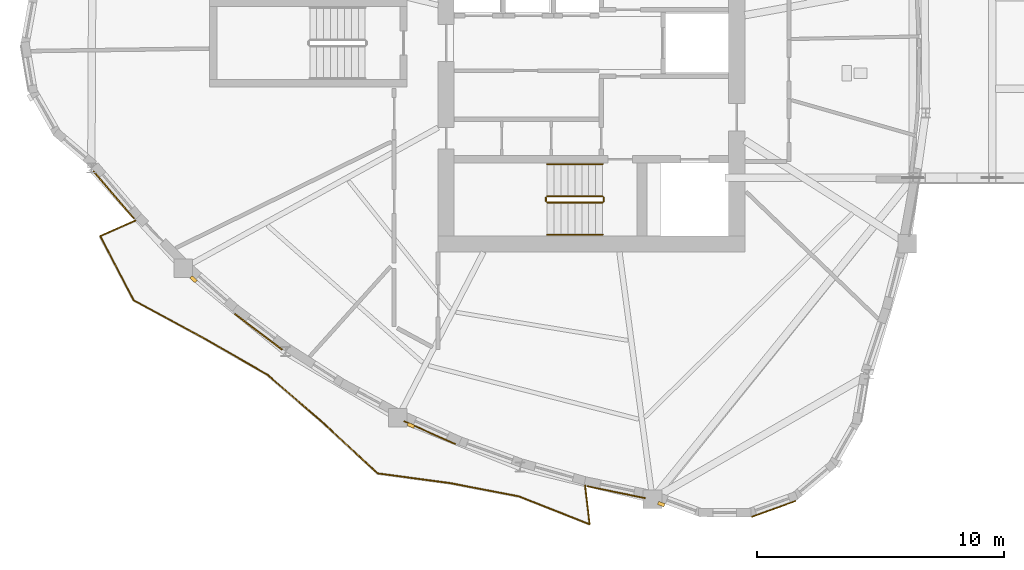
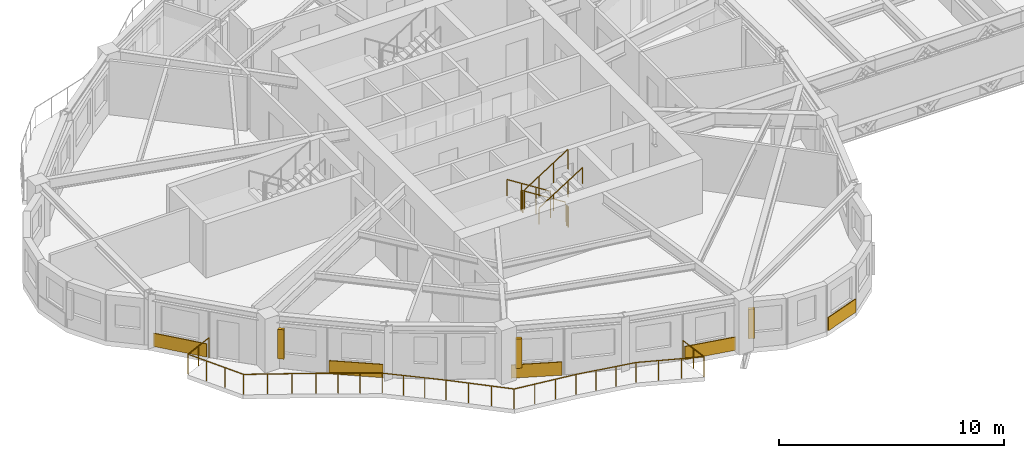
# One storey, part 10 of 13: 7 railings, 5 coverings, 3 shading devices.
"""IFC4 building model written with IfcOpenShell, lengths in metres."""

from ifc_helpers import new_model, si_unit, direction, frame, origin, origin_2d, place, context, subcontext, project, spatial, rectangle, circle, extrude, source, transform, mapped, material, layer, layer_set, type_object, element, save


model = new_model("IFC4")

# Units and contexts
model_context = context("Model", 3, precision=1e-05, world=origin(), true_north=direction((0.0, 1.0)))
body_context = subcontext(model_context, "Body", "Model", "MODEL_VIEW")
ifc_project = project(units=[si_unit("LENGTHUNIT", "METRE"), si_unit("AREAUNIT", "SQUARE_METRE"), si_unit("VOLUMEUNIT", "CUBIC_METRE"), si_unit("PLANEANGLEUNIT", "RADIAN"), si_unit("MASSUNIT", "GRAM", prefix="KILO")], contexts=[model_context])

# Site, building, storey
site_placement = place(None, origin())
site = spatial("IfcSite", under=ifc_project, at=site_placement, CompositionType="ELEMENT")
building_placement = place(site_placement, origin())
building = spatial("IfcBuilding", under=site, at=building_placement, Name="Qafzar Sky-Pleat Residences", CompositionType="ELEMENT")
storey_placement = place(building_placement, frame((0.0, 0.0, 152.199951171875)))
storey = spatial("IfcBuildingStorey", under=building, at=storey_placement, Name="L45", CompositionType="ELEMENT", Elevation=152.199951171875)

# Shading devices
ifc_material_1 = material(Name="Honed Riyadh limestone solar fin", Category="masonry")
ifc_layer_1 = layer(ifc_material_1, 0.139892578125)
ifc_layer_set_1 = layer_set([ifc_layer_1], Name="Honed Riyadh limestone solar fin")
shading_device_type = type_object("IfcShadingDeviceType", Name="SHD-FIN-STONE", PredefinedType="SHUTTER", material=ifc_layer_set_1)
shared_shape_1 = source(origin(), body_context, "Body", "SweptSolid", [
    extrude(rectangle(XDim=0.139892578125, YDim=0.280029296875, at=origin_2d()), origin(), (0.0, 0.0, 1.0), 1.60009765625),
])
for number, where, z_axis, x_axis, name in (
    (1, (14.259033203125, 16.4443359375, 0.60009765625), (0.0, 0.0, 1.0), (-0.66015795456, -0.751126803563, 0.0), "L45 Limestone Solar Fin 9"),
    (2, (23.052001953125, 10.533935546875, 0.60009765625), (0.0, 0.0, 1.0), (-0.407523392888, -0.913194767971, 0.0), "L45 Limestone Solar Fin 13"),
    (3, (33.17236328125, 7.3525390625, 0.60009765625), (0.0, 0.0, 1.0), (-0.349591808799, -0.936902111867, 0.0), "L45 Limestone Solar Fin 17"),
):
    element("IfcShadingDevice", number, at=place(storey_placement, frame(where, z_axis=z_axis, x_axis=x_axis)), inside=storey, type_object=shading_device_type, Name=name, PredefinedType="SHUTTER", context=body_context, shape_type="MappedRepresentation", body=[
        mapped(shared_shape_1, transform((0.0, 0.0, 0.0), x_axis=(1.0, 0.0, 0.0), y_axis=(0.0, 1.0, 0.0), z_axis=(0.0, 0.0, 1.0), scale=1.0)),
    ])

# Railing
ifc_material_2 = material(Name="Laminated glass and bronze steel balustrade", Category="steel")
railing_type_1 = type_object("IfcRailingType", Name="RAIL-BAL-1100", PredefinedType="BALUSTRADE", material=ifc_material_2)
shared_shape_2 = source(origin(), body_context, "Body", "SweptSolid", [
    extrude(circle(Radius=0.02392578125, at=origin_2d()), frame((0.0, 0.0, 1.076171875), z_axis=(-0.913242763887, -0.407415824689, 0.0), x_axis=(0.407415824689, -0.913242763887, 0.0)), (0.0, 0.0, 1.0), 1.577880859375),
    extrude(circle(Radius=0.02392578125, at=origin_2d()), frame((-1.44091796875, -0.642822265625, 1.076171875), z_axis=(0.463779078559, -0.88595088255, 0.0), x_axis=(0.88595088255, 0.463779078559, 0.0)), (0.0, 0.0, 1.0), 2.922119140625),
    extrude(circle(Radius=0.02392578125, at=origin_2d()), frame((-0.085693359375, -3.231689453125, 1.076171875), z_axis=(0.879301197534, -0.476266106305, 0.0), x_axis=(0.476266106305, 0.879301197534, 0.0)), (0.0, 0.0, 1.0), 3.23046875),
    extrude(circle(Radius=0.02392578125, at=origin_2d()), frame((2.7548828125, -4.770263671875, 1.076171875), z_axis=(0.867569052285, -0.49731673963, 0.0), x_axis=(0.49731673963, 0.867569052285, 0.0)), (0.0, 0.0, 1.0), 2.945556640625),
    extrude(circle(Radius=0.02392578125, at=origin_2d()), frame((5.310302734375, -6.235107421875, 1.076171875), z_axis=(0.75730029901, -0.653066809078, 0.0), x_axis=(0.653066809078, 0.75730029901, 0.0)), (0.0, 0.0, 1.0), 2.8857421875),
    extrude(circle(Radius=0.02392578125, at=origin_2d()), frame((7.49560546875, -8.11962890625, 1.076171875), z_axis=(0.734057417047, -0.67908740857, 0.0), x_axis=(0.67908740857, 0.734057417047, 0.0)), (0.0, 0.0, 1.0), 3.11328125),
    extrude(circle(Radius=0.02392578125, at=origin_2d()), frame((9.781005859375, -10.23388671875, 1.076171875), z_axis=(0.991073421264, -0.133317191933, 0.0), x_axis=(0.133317191933, 0.991073421264, 0.0)), (0.0, 0.0, 1.0), 2.966552734375),
    extrude(circle(Radius=0.02392578125, at=origin_2d()), frame((12.72119140625, -10.62939453125, 1.076171875), z_axis=(0.981967689152, -0.189048822958, 0.0), x_axis=(0.189048822958, 0.981967689152, 0.0)), (0.0, 0.0, 1.0), 2.83203125),
    extrude(circle(Radius=0.02392578125, at=origin_2d()), frame((15.502197265625, -11.164794921875, 1.076171875), z_axis=(0.929959452152, -0.367662096705, 0.0), x_axis=(0.367662096705, 0.929959452152, 0.0)), (0.0, 0.0, 1.0), 3.061767578125),
    extrude(circle(Radius=0.02392578125, at=origin_2d()), frame((18.349609375, -12.29052734375, 1.076171875), z_axis=(-0.116203811721, 0.993225389396, 0.0), x_axis=(-0.993225389396, -0.116203811721, 0.0)), (0.0, 0.0, 1.0), 1.577880859375),
    extrude(circle(Radius=0.02099609375, at=origin_2d()), origin(), (0.0, 0.0, 1.0), 1.052001953125),
    extrude(circle(Radius=0.02099609375, at=origin_2d()), frame((-0.720458984375, -0.3212890625, 0.0)), (0.0, 0.0, 1.0), 1.052001953125),
    extrude(circle(Radius=0.02099609375, at=origin_2d()), frame((-1.44091796875, -0.642822265625, 0.0)), (0.0, 0.0, 1.0), 1.052001953125),
    extrude(circle(Radius=0.02099609375, at=origin_2d()), frame((-0.9892578125, -1.505859375, 0.0)), (0.0, 0.0, 1.0), 1.052001953125),
    extrude(circle(Radius=0.02099609375, at=origin_2d()), frame((-0.537353515625, -2.36865234375, 0.0)), (0.0, 0.0, 1.0), 1.052001953125),
    extrude(circle(Radius=0.02099609375, at=origin_2d()), frame((-0.085693359375, -3.231689453125, 0.0)), (0.0, 0.0, 1.0), 1.052001953125),
    extrude(circle(Radius=0.02099609375, at=origin_2d()), frame((0.861083984375, -3.74462890625, 0.0)), (0.0, 0.0, 1.0), 1.052001953125),
    extrude(circle(Radius=0.02099609375, at=origin_2d()), frame((1.80810546875, -4.25732421875, 0.0)), (0.0, 0.0, 1.0), 1.052001953125),
    extrude(circle(Radius=0.02099609375, at=origin_2d()), frame((2.7548828125, -4.770263671875, 0.0)), (0.0, 0.0, 1.0), 1.052001953125),
    extrude(circle(Radius=0.02099609375, at=origin_2d()), frame((3.606689453125, -5.258544921875, 0.0)), (0.0, 0.0, 1.0), 1.052001953125),
    extrude(circle(Radius=0.02099609375, at=origin_2d()), frame((4.45849609375, -5.746826171875, 0.0)), (0.0, 0.0, 1.0), 1.052001953125),
    extrude(circle(Radius=0.02099609375, at=origin_2d()), frame((5.310302734375, -6.235107421875, 0.0)), (0.0, 0.0, 1.0), 1.052001953125),
    extrude(circle(Radius=0.02099609375, at=origin_2d()), frame((6.038818359375, -6.86328125, 0.0)), (0.0, 0.0, 1.0), 1.052001953125),
    extrude(circle(Radius=0.02099609375, at=origin_2d()), frame((6.76708984375, -7.491455078125, 0.0)), (0.0, 0.0, 1.0), 1.052001953125),
    extrude(circle(Radius=0.02099609375, at=origin_2d()), frame((7.49560546875, -8.11962890625, 0.0)), (0.0, 0.0, 1.0), 1.052001953125),
    extrude(circle(Radius=0.02099609375, at=origin_2d()), frame((8.25732421875, -8.824462890625, 0.0)), (0.0, 0.0, 1.0), 1.052001953125),
    extrude(circle(Radius=0.02099609375, at=origin_2d()), frame((9.019287109375, -9.529052734375, 0.0)), (0.0, 0.0, 1.0), 1.052001953125),
    extrude(circle(Radius=0.02099609375, at=origin_2d()), frame((9.781005859375, -10.23388671875, 0.0)), (0.0, 0.0, 1.0), 1.052001953125),
    extrude(circle(Radius=0.02099609375, at=origin_2d()), frame((10.760986328125, -10.36572265625, 0.0)), (0.0, 0.0, 1.0), 1.052001953125),
    extrude(circle(Radius=0.02099609375, at=origin_2d()), frame((11.7412109375, -10.49755859375, 0.0)), (0.0, 0.0, 1.0), 1.052001953125),
    extrude(circle(Radius=0.02099609375, at=origin_2d()), frame((12.72119140625, -10.62939453125, 0.0)), (0.0, 0.0, 1.0), 1.052001953125),
    extrude(circle(Radius=0.02099609375, at=origin_2d()), frame((13.648193359375, -10.807861328125, 0.0)), (0.0, 0.0, 1.0), 1.052001953125),
    extrude(circle(Radius=0.02099609375, at=origin_2d()), frame((14.5751953125, -10.986328125, 0.0)), (0.0, 0.0, 1.0), 1.052001953125),
    extrude(circle(Radius=0.02099609375, at=origin_2d()), frame((15.502197265625, -11.164794921875, 0.0)), (0.0, 0.0, 1.0), 1.052001953125),
    extrude(circle(Radius=0.02099609375, at=origin_2d()), frame((16.451416015625, -11.5400390625, 0.0)), (0.0, 0.0, 1.0), 1.052001953125),
    extrude(circle(Radius=0.02099609375, at=origin_2d()), frame((17.400390625, -11.915283203125, 0.0)), (0.0, 0.0, 1.0), 1.052001953125),
    extrude(circle(Radius=0.02099609375, at=origin_2d()), frame((18.349609375, -12.29052734375, 0.0)), (0.0, 0.0, 1.0), 1.052001953125),
    extrude(circle(Radius=0.02099609375, at=origin_2d()), frame((18.2578125, -11.5068359375, 0.0)), (0.0, 0.0, 1.0), 1.052001953125),
    extrude(circle(Radius=0.02099609375, at=origin_2d()), frame((18.166259765625, -10.723388671875, 0.0)), (0.0, 0.0, 1.0), 1.052001953125),
])
railing_1_placement = place(storey_placement, frame((11.92529296875, 18.8291015625, 0.0)))
element("IfcRailing", 4, at=railing_1_placement, inside=storey, type_object=railing_type_1, Name="L45 Pleated Balcony 2 Balustrade", PredefinedType="BALUSTRADE", context=body_context, shape_type="MappedRepresentation", body=[
    mapped(shared_shape_2, transform((0.0, 0.0, 0.0), x_axis=(1.0, 0.0, 0.0), y_axis=(0.0, 1.0, 0.0), z_axis=(0.0, 0.0, 1.0), scale=1.0)),
])

# Coverings
ifc_material_3 = material(Name="Honed Riyadh Tuwaiq limestone cladding", Category="masonry")
ifc_layer_2 = layer(ifc_material_3, 0.044921875)
ifc_layer_set_2 = layer_set([ifc_layer_2], Name="Honed Riyadh Tuwaiq limestone cladding")
covering_type = type_object("IfcCoveringType", Name="COV-CLAD-STONE", PredefinedType="CLADDING", material=ifc_layer_set_2)
shared_shape_3 = source(origin(), body_context, "Body", "SweptSolid", [
    extrude(rectangle(XDim=2.522705078125, YDim=0.044921875, at=origin_2d()), origin(), (0.0, 0.0, 1.0), 0.719970703125),
])
covering_1_placement = place(storey_placement, frame((11.032958984375, 19.855712890625, 0.02001953125), z_axis=(0.0, 0.0, 1.0), x_axis=(0.650335864114, -0.759646802038, 0.0)))
element("IfcCovering", 5, at=covering_1_placement, inside=storey, type_object=covering_type, Name="L45 Riyadh Limestone Spandrel Cladding 7", PredefinedType="CLADDING", context=body_context, shape_type="MappedRepresentation", body=[
    mapped(shared_shape_3, transform((0.0, 0.0, 0.0), x_axis=(1.0, 0.0, 0.0), y_axis=(0.0, 1.0, 0.0), z_axis=(0.0, 0.0, 1.0), scale=1.0)),
])
shared_shape_4 = source(origin(), body_context, "Body", "SweptSolid", [
    extrude(rectangle(XDim=2.403076171875, YDim=0.044921875, at=origin_2d()), origin(), (0.0, 0.0, 1.0), 0.719970703125),
])
covering_2_placement = place(storey_placement, frame((16.8857421875, 14.321044921875, 0.02001953125), z_axis=(0.0, 0.0, 1.0), x_axis=(0.798031812504, -0.602615321936, 0.0)))
element("IfcCovering", 6, at=covering_2_placement, inside=storey, type_object=covering_type, Name="L45 Riyadh Limestone Spandrel Cladding 10", PredefinedType="CLADDING", context=body_context, shape_type="MappedRepresentation", body=[
    mapped(shared_shape_4, transform((0.0, 0.0, 0.0), x_axis=(1.0, 0.0, 0.0), y_axis=(0.0, 1.0, 0.0), z_axis=(0.0, 0.0, 1.0), scale=1.0)),
])
shared_shape_5 = source(origin(), body_context, "Body", "SweptSolid", [
    extrude(rectangle(XDim=2.281494140625, YDim=0.044921875, at=origin_2d()), origin(), (0.0, 0.0, 1.0), 0.719970703125),
])
covering_3_placement = place(storey_placement, frame((23.80908203125, 10.2431640625, 0.02001953125), z_axis=(0.0, 0.0, 1.0), x_axis=(0.913200537505, -0.407510464038, 0.0)))
element("IfcCovering", 7, at=covering_3_placement, inside=storey, type_object=covering_type, Name="L45 Riyadh Limestone Spandrel Cladding 13", PredefinedType="CLADDING", context=body_context, shape_type="MappedRepresentation", body=[
    mapped(shared_shape_5, transform((0.0, 0.0, 0.0), x_axis=(1.0, 0.0, 0.0), y_axis=(0.0, 1.0, 0.0), z_axis=(0.0, 0.0, 1.0), scale=1.0)),
])
shared_shape_6 = source(origin(), body_context, "Body", "SweptSolid", [
    extrude(rectangle(XDim=2.401123046875, YDim=0.044921875, at=origin_2d()), origin(), (0.0, 0.0, 1.0), 0.719970703125),
])
covering_4_placement = place(storey_placement, frame((31.35498046875, 7.833984375, 0.02001953125), z_axis=(0.0, 0.0, 1.0), x_axis=(0.979318332698, -0.202325488363, 0.0)))
element("IfcCovering", 8, at=covering_4_placement, inside=storey, type_object=covering_type, Name="L45 Riyadh Limestone Spandrel Cladding 16", PredefinedType="CLADDING", context=body_context, shape_type="MappedRepresentation", body=[
    mapped(shared_shape_6, transform((0.0, 0.0, 0.0), x_axis=(1.0, 0.0, 0.0), y_axis=(0.0, 1.0, 0.0), z_axis=(0.0, 0.0, 1.0), scale=1.0)),
])
shared_shape_7 = source(origin(), body_context, "Body", "SweptSolid", [
    extrude(rectangle(XDim=1.89794921875, YDim=0.044921875, at=origin_2d()), origin(), (0.0, 0.0, 1.0), 0.719970703125),
])
covering_5_placement = place(storey_placement, frame((37.7177734375, 7.1591796875, 0.02001953125), z_axis=(0.0, 0.0, 1.0), x_axis=(0.940231559433, 0.340535775867, 0.0)))
element("IfcCovering", 9, at=covering_5_placement, inside=storey, type_object=covering_type, Name="L45 Riyadh Limestone Spandrel Cladding 19", PredefinedType="CLADDING", context=body_context, shape_type="MappedRepresentation", body=[
    mapped(shared_shape_7, transform((0.0, 0.0, 0.0), x_axis=(1.0, 0.0, 0.0), y_axis=(0.0, 1.0, 0.0), z_axis=(0.0, 0.0, 1.0), scale=1.0)),
])

# Railings
ifc_material_4 = material(Name="Painted Steel S355 stair guardrail", Category="steel")
railing_type_2 = type_object("IfcRailingType", Name="RAIL-STAIR-GUARD", PredefinedType="GUARDRAIL", material=ifc_material_4)
shared_shape_8 = source(origin(), body_context, "Body", "SweptSolid", [
    extrude(circle(Radius=0.02392578125, at=origin_2d()), frame((0.0, 0.0, 1.076171875), z_axis=(0.0, -1.0, 0.0), x_axis=(1.0, 0.0, 0.0)), (0.0, 0.0, 1.0), 0.14990234375),
    extrude(circle(Radius=0.02099609375, at=origin_2d()), origin(), (0.0, 0.0, 1.0), 1.052001953125),
    extrude(circle(Radius=0.02099609375, at=origin_2d()), frame((0.0, -0.14990234375, 0.0)), (0.0, 0.0, 1.0), 1.052001953125),
])
for number, where, name in (
    (10, (28.510009765625, 19.75, 1.60009765625), "L45 ST1 stair guard 2"),
    (11, (30.85009765625, 19.75, 0.0), "L45 ST1 stair guard 4"),
):
    element("IfcRailing", number, at=place(storey_placement, frame(where)), inside=storey, type_object=railing_type_2, Name=name, PredefinedType="GUARDRAIL", context=body_context, shape_type="MappedRepresentation", body=[
        mapped(shared_shape_8, transform((0.0, 0.0, 0.0), x_axis=(1.0, 0.0, 0.0), y_axis=(0.0, 1.0, 0.0), z_axis=(0.0, 0.0, 1.0), scale=1.0)),
    ])
shared_shape_9 = source(origin(), body_context, "Body", "SweptSolid", [
    extrude(circle(Radius=0.02392578125, at=origin_2d()), frame((0.0, 0.0, 1.076171875), z_axis=(0.8442293374, 0.0, 0.53598211339), x_axis=(0.0, 1.0, 0.0)), (0.0, 0.0, 1.0), 2.6533203125),
    extrude(circle(Radius=0.02099609375, at=origin_2d()), origin(), (0.0, 0.0, 1.0), 1.052001953125),
    extrude(circle(Radius=0.02099609375, at=origin_2d()), frame((0.74658203125, 0.0, 0.47412109375)), (0.0, 0.0, 1.0), 1.052001953125),
    extrude(circle(Radius=0.02099609375, at=origin_2d()), frame((1.493408203125, 0.0, 0.947998046875)), (0.0, 0.0, 1.0), 1.052001953125),
    extrude(circle(Radius=0.02099609375, at=origin_2d()), frame((2.239990234375, 0.0, 1.422119140625)), (0.0, 0.0, 1.0), 1.052001953125),
])
railing_2_placement = place(storey_placement, frame((28.56005859375, 19.550048828125, 1.77783203125)))
element("IfcRailing", 12, at=railing_2_placement, inside=storey, type_object=railing_type_2, Name="L45 ST1 stair guard 3", PredefinedType="GUARDRAIL", context=body_context, shape_type="MappedRepresentation", body=[
    mapped(shared_shape_9, transform((0.0, 0.0, 0.0), x_axis=(1.0, 0.0, 0.0), y_axis=(0.0, 1.0, 0.0), z_axis=(0.0, 0.0, 1.0), scale=1.0)),
])
ifc_material_5 = material(Name="Brushed stainless steel handrail", Category="steel")
railing_type_3 = type_object("IfcRailingType", Name="RAIL-STAIR-HAND", PredefinedType="HANDRAIL", material=ifc_material_5)
shared_shape_10 = source(origin(), body_context, "Body", "SweptSolid", [
    extrude(circle(Radius=0.02392578125, at=origin_2d()), frame((0.0, 0.0, 0.8759765625), z_axis=(0.8442293374, 0.0, 0.53598211339), x_axis=(0.0, 1.0, 0.0)), (0.0, 0.0, 1.0), 2.6533203125),
    extrude(circle(Radius=0.02099609375, at=origin_2d()), origin(), (0.0, 0.0, 1.0), 0.851806640625),
    extrude(circle(Radius=0.02099609375, at=origin_2d()), frame((0.74658203125, 0.0, 0.47412109375)), (0.0, 0.0, 1.0), 0.851806640625),
    extrude(circle(Radius=0.02099609375, at=origin_2d()), frame((1.493408203125, 0.0, 0.947998046875)), (0.0, 0.0, 1.0), 0.851806640625),
    extrude(circle(Radius=0.02099609375, at=origin_2d()), frame((2.239990234375, 0.0, 1.422119140625)), (0.0, 0.0, 1.0), 0.851806640625),
])
railing_3_placement = place(storey_placement, frame((28.56005859375, 18.25, 1.77783203125)))
element("IfcRailing", 13, at=railing_3_placement, inside=storey, type_object=railing_type_3, Name="L45 ST1 stair handrail 2", PredefinedType="HANDRAIL", context=body_context, shape_type="MappedRepresentation", body=[
    mapped(shared_shape_10, transform((0.0, 0.0, 0.0), x_axis=(1.0, 0.0, 0.0), y_axis=(0.0, 1.0, 0.0), z_axis=(0.0, 0.0, 1.0), scale=1.0)),
])
shared_shape_11 = source(origin(), body_context, "Body", "SweptSolid", [
    extrude(circle(Radius=0.02392578125, at=origin_2d()), frame((0.0, 0.0, 1.076171875), z_axis=(-0.84418770128, 0.0, 0.536047689118), x_axis=(0.0, -1.0, 0.0)), (0.0, 0.0, 1.0), 2.6533203125),
    extrude(circle(Radius=0.02099609375, at=origin_2d()), origin(), (0.0, 0.0, 1.0), 1.052001953125),
    extrude(circle(Radius=0.02099609375, at=origin_2d()), frame((-0.74658203125, 0.0, 0.47412109375)), (0.0, 0.0, 1.0), 1.052001953125),
    extrude(circle(Radius=0.02099609375, at=origin_2d()), frame((-1.493408203125, 0.0, 0.9482421875)), (0.0, 0.0, 1.0), 1.052001953125),
    extrude(circle(Radius=0.02099609375, at=origin_2d()), frame((-2.239990234375, 0.0, 1.42236328125)), (0.0, 0.0, 1.0), 1.052001953125),
])
railing_4_placement = place(storey_placement, frame((30.800048828125, 19.800048828125, 0.177734375)))
element("IfcRailing", 14, at=railing_4_placement, inside=storey, type_object=railing_type_2, Name="L45 ST1 stair guard 1", PredefinedType="GUARDRAIL", context=body_context, shape_type="MappedRepresentation", body=[
    mapped(shared_shape_11, transform((0.0, 0.0, 0.0), x_axis=(1.0, 0.0, 0.0), y_axis=(0.0, 1.0, 0.0), z_axis=(0.0, 0.0, 1.0), scale=1.0)),
])
shared_shape_12 = source(origin(), body_context, "Body", "SweptSolid", [
    extrude(circle(Radius=0.02392578125, at=origin_2d()), frame((0.0, 0.0, 0.8759765625), z_axis=(-0.84418770128, 0.0, 0.536047689118), x_axis=(0.0, -1.0, 0.0)), (0.0, 0.0, 1.0), 2.6533203125),
    extrude(circle(Radius=0.02099609375, at=origin_2d()), origin(), (0.0, 0.0, 1.0), 0.851806640625),
    extrude(circle(Radius=0.02099609375, at=origin_2d()), frame((-0.74658203125, 0.0, 0.47412109375)), (0.0, 0.0, 1.0), 0.851806640625),
    extrude(circle(Radius=0.02099609375, at=origin_2d()), frame((-1.493408203125, 0.0, 0.9482421875)), (0.0, 0.0, 1.0), 0.851806640625),
    extrude(circle(Radius=0.02099609375, at=origin_2d()), frame((-2.239990234375, 0.0, 1.42236328125)), (0.0, 0.0, 1.0), 0.851806640625),
])
railing_5_placement = place(storey_placement, frame((30.800048828125, 21.10009765625, 0.177734375)))
element("IfcRailing", 15, at=railing_5_placement, inside=storey, type_object=railing_type_3, Name="L45 ST1 stair handrail 1", PredefinedType="HANDRAIL", context=body_context, shape_type="MappedRepresentation", body=[
    mapped(shared_shape_12, transform((0.0, 0.0, 0.0), x_axis=(1.0, 0.0, 0.0), y_axis=(0.0, 1.0, 0.0), z_axis=(0.0, 0.0, 1.0), scale=1.0)),
])

save(model, "model.ifc")
